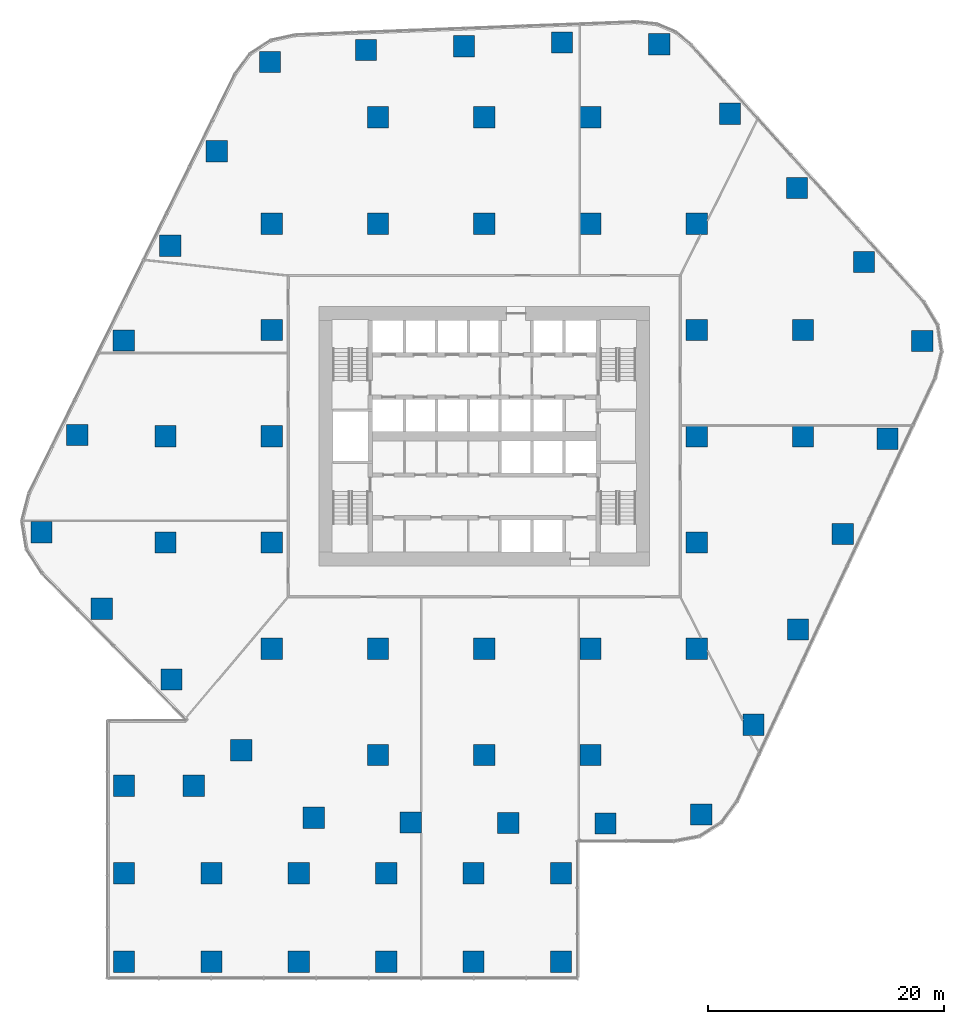
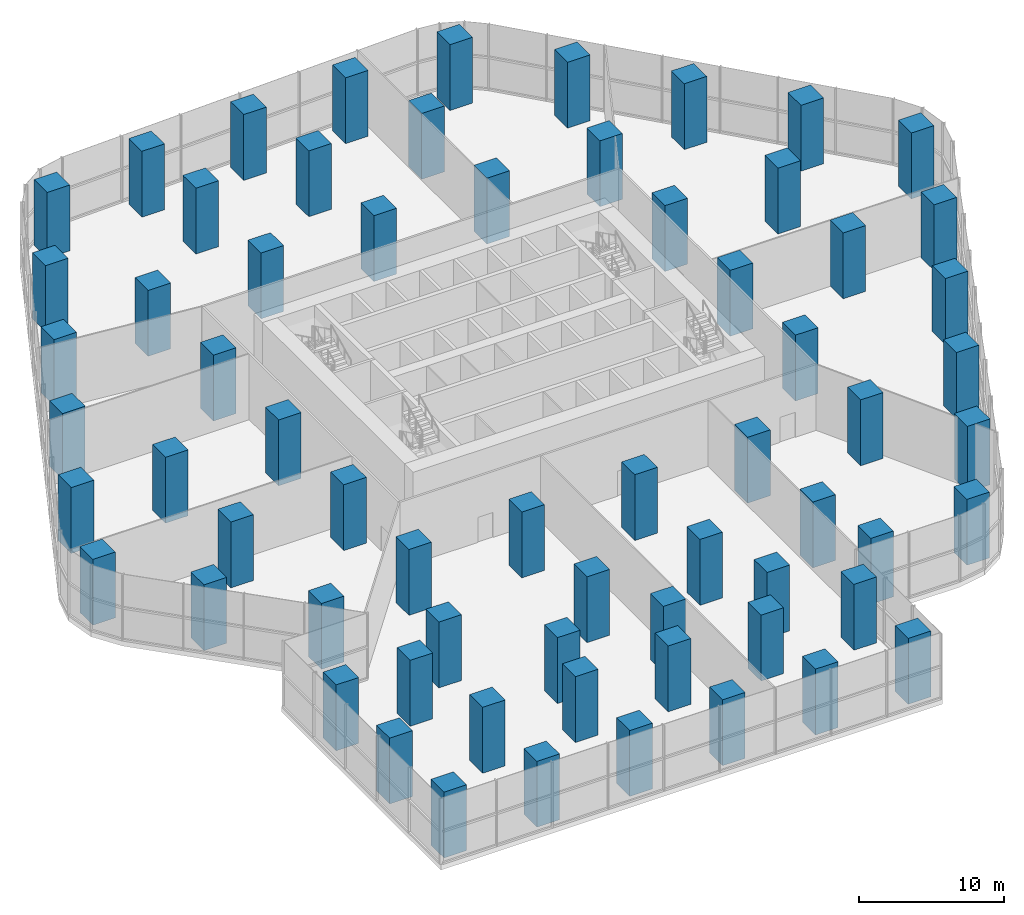
# One storey, part 1 of 15: 66 columns.
"""IFC4 building model written with IfcOpenShell, lengths in metres."""

from ifc_helpers import new_model, si_unit, direction, frame, origin, origin_2d, place, context, subcontext, project, spatial, rectangle, extrude, material, material_profile, profile_set, type_object, element, save


model = new_model("IFC4")

# Units and contexts
model_context = context("Model", 3, precision=1e-05, world=origin(), true_north=direction((0.0, 1.0)))
body_context = subcontext(model_context, "Body", "Model", "MODEL_VIEW")
ifc_project = project(units=[si_unit("LENGTHUNIT", "METRE"), si_unit("AREAUNIT", "SQUARE_METRE"), si_unit("VOLUMEUNIT", "CUBIC_METRE"), si_unit("PLANEANGLEUNIT", "RADIAN"), si_unit("MASSUNIT", "GRAM", prefix="KILO")], contexts=[model_context])

# Site, building, storey
site_placement = place(None, origin())
site = spatial("IfcSite", under=ifc_project, at=site_placement, CompositionType="ELEMENT")
building_placement = place(site_placement, origin())
building = spatial("IfcBuilding", under=site, at=building_placement, Name="Dongbaek Canopy Tower", CompositionType="ELEMENT")
storey_placement = place(building_placement, frame((0.0, 0.0, 27.0)))
storey = spatial("IfcBuildingStorey", under=building, at=storey_placement, Name="L03", CompositionType="ELEMENT", Elevation=27.0)

# Columns
ifc_material = material(Name="Concrete C80", Category="concrete")
ifc_material_profile = material_profile(ifc_material, rectangle(XDim=1.800048828125, YDim=1.800048828125, at=origin_2d()), Name="RC COLUMN 1800x1800 C80")
ifc_profile_set = profile_set([ifc_material_profile], Name="Concrete C80")
column_type = type_object("IfcColumnType", Name="RC COLUMN 1800x1800 C80", PredefinedType="COLUMN", material=ifc_profile_set)
for number, where, z_axis, x_axis, name in (
    (1, (18.367919921875, -32.04296875, 0.0), (0.0, 0.0, 1.0), (1.0, 0.0, 0.0), "COL:CP-01:L03"),
    (2, (10.277099609375, -32.7900390625, 0.0), (0.0, 0.0, 1.0), (1.0, 0.0, 0.0), "COL:CP-02:L03"),
    (3, (2.027099609375, -32.7529296875, 0.0), (0.0, 0.0, 1.0), (1.0, 0.0, 0.0), "COL:CP-03:L03"),
    (4, (-6.221923828125, -32.717041015625, 0.0), (0.0, 0.0, 1.0), (1.0, 0.0, 0.0), "COL:CP-04:L03"),
    (5, (-14.43408203125, -32.31298828125, 0.0), (0.0, 0.0, 1.0), (1.0, 0.0, 0.0), "COL:CP-05:L03"),
    (6, (-20.573974609375, -26.60205078125, 0.0), (0.0, 0.0, 1.0), (1.0, 0.0, 0.0), "COL:CP-06:L03"),
    (7, (-26.47802734375, -20.60791015625, 0.0), (0.0, 0.0, 1.0), (1.0, 0.0, 0.0), "COL:CP-07:L03"),
    (8, (-32.382080078125, -14.613037109375, 0.0), (0.0, 0.0, 1.0), (1.0, 0.0, 0.0), "COL:CP-08:L03"),
    (9, (-37.489013671875, -8.123046875, 0.0), (0.0, 0.0, 1.0), (1.0, 0.0, 0.0), "COL:CP-09:L03"),
    (10, (-34.462890625, 0.10302734375, 0.0), (0.0, 0.0, 1.0), (1.0, 0.0, 0.0), "COL:CP-10:L03"),
    (11, (-30.52490234375, 8.111083984375, 0.0), (0.0, 0.0, 1.0), (1.0, 0.0, 0.0), "COL:CP-11:L03"),
    (12, (-26.5859375, 16.117919921875, 0.0), (0.0, 0.0, 1.0), (1.0, 0.0, 0.0), "COL:CP-12:L03"),
    (13, (-22.64794921875, 24.125, 0.0), (0.0, 0.0, 1.0), (1.0, 0.0, 0.0), "COL:CP-13:L03"),
    (14, (-18.138916015625, 31.698974609375, 0.0), (0.0, 0.0, 1.0), (1.0, 0.0, 0.0), "COL:CP-14:L03"),
    (15, (-10.006103515625, 32.714111328125, 0.0), (0.0, 0.0, 1.0), (1.0, 0.0, 0.0), "COL:CP-15:L03"),
    (16, (-1.7080078125, 33.031982421875, 0.0), (0.0, 0.0, 1.0), (1.0, 0.0, 0.0), "COL:CP-16:L03"),
    (17, (6.589111328125, 33.34912109375, 0.0), (0.0, 0.0, 1.0), (1.0, 0.0, 0.0), "COL:CP-17:L03"),
    (18, (14.830078125, 33.194091796875, 0.0), (0.0, 0.0, 1.0), (1.0, 0.0, 0.0), "COL:CP-18:L03"),
    (19, (20.804931640625, 27.297119140625, 0.0), (0.0, 0.0, 1.0), (1.0, 0.0, 0.0), "COL:CP-19:L03"),
    (20, (26.48193359375, 21.029052734375, 0.0), (0.0, 0.0, 1.0), (1.0, 0.0, 0.0), "COL:CP-20:L03"),
    (21, (32.157958984375, 14.760986328125, 0.0), (0.0, 0.0, 1.0), (1.0, 0.0, 0.0), "COL:CP-21:L03"),
    (22, (37.097900390625, 8.06591796875, 0.0), (0.0, 0.0, 1.0), (1.0, 0.0, 0.0), "COL:CP-22:L03"),
    (23, (34.14306640625, -0.205078125, 0.0), (0.0, 0.0, 1.0), (1.0, 0.0, 0.0), "COL:CP-23:L03"),
    (24, (30.360107421875, -8.283935546875, 0.0), (0.0, 0.0, 1.0), (1.0, 0.0, 0.0), "COL:CP-24:L03"),
    (25, (26.575927734375, -16.364013671875, 0.0), (0.0, 0.0, 1.0), (1.0, 0.0, 0.0), "COL:CP-25:L03"),
    (26, (22.7919921875, -24.443115234375, 0.0), (0.0, 0.0, 1.0), (1.0, 0.0, 0.0), "COL:CP-26:L03"),
    (27, (-27.0, -9.0, 0.0), (0.0, 0.0, 1.0), (1.0, 0.0, 0.0), "COL:CIP-01:L03"),
    (28, (-27.0, 0.0, 0.0), (0.0, 0.0, 1.0), (1.0, 0.0, 0.0), "COL:CIP-02:L03"),
    (29, (-18.0, -18.0, 0.0), (0.0, 0.0, 1.0), (1.0, 0.0, 0.0), "COL:CIP-03:L03"),
    (30, (-18.0, -9.0, 0.0), (0.0, 0.0, 1.0), (1.0, 0.0, 0.0), "COL:CIP-04:L03"),
    (31, (-18.0, 0.0, 0.0), (0.0, 0.0, 1.0), (1.0, 0.0, 0.0), "COL:CIP-05:L03"),
    (32, (-18.0, 9.0, 0.0), (0.0, 0.0, 1.0), (1.0, 0.0, 0.0), "COL:CIP-06:L03"),
    (33, (-18.0, 18.0, 0.0), (0.0, 0.0, 1.0), (1.0, 0.0, 0.0), "COL:CIP-07:L03"),
    (34, (-9.0, -27.0, 0.0), (0.0, 0.0, 1.0), (1.0, 0.0, 0.0), "COL:CIP-08:L03"),
    (35, (-9.0, -18.0, 0.0), (0.0, 0.0, 1.0), (1.0, 0.0, 0.0), "COL:CIP-09:L03"),
    (36, (-9.0, 18.0, 0.0), (0.0, 0.0, 1.0), (1.0, 0.0, 0.0), "COL:CIP-10:L03"),
    (37, (-9.0, 27.0, 0.0), (0.0, 0.0, 1.0), (1.0, 0.0, 0.0), "COL:CIP-11:L03"),
    (38, (0.0, -27.0, 0.0), (0.0, 0.0, 1.0), (1.0, 0.0, 0.0), "COL:CIP-12:L03"),
    (39, (0.0, -18.0, 0.0), (0.0, 0.0, 1.0), (1.0, 0.0, 0.0), "COL:CIP-13:L03"),
    (40, (0.0, 18.0, 0.0), (0.0, 0.0, 1.0), (1.0, 0.0, 0.0), "COL:CIP-14:L03"),
    (41, (0.0, 27.0, 0.0), (0.0, 0.0, 1.0), (1.0, 0.0, 0.0), "COL:CIP-15:L03"),
    (42, (9.0, -27.0, 0.0), (0.0, 0.0, 1.0), (1.0, 0.0, 0.0), "COL:CIP-16:L03"),
    (43, (9.0, -18.0, 0.0), (0.0, 0.0, 1.0), (1.0, 0.0, 0.0), "COL:CIP-17:L03"),
    (44, (9.0, 18.0, 0.0), (0.0, 0.0, 1.0), (1.0, 0.0, 0.0), "COL:CIP-18:L03"),
    (45, (9.0, 27.0, 0.0), (0.0, 0.0, 1.0), (1.0, 0.0, 0.0), "COL:CIP-19:L03"),
    (46, (18.0, -18.0, 0.0), (0.0, 0.0, 1.0), (1.0, 0.0, 0.0), "COL:CIP-20:L03"),
    (47, (18.0, -9.0, 0.0), (0.0, 0.0, 1.0), (1.0, 0.0, 0.0), "COL:CIP-21:L03"),
    (48, (18.0, 0.0, 0.0), (0.0, 0.0, 1.0), (1.0, 0.0, 0.0), "COL:CIP-22:L03"),
    (49, (18.0, 9.0, 0.0), (0.0, 0.0, 1.0), (1.0, 0.0, 0.0), "COL:CIP-23:L03"),
    (50, (18.0, 18.0, 0.0), (0.0, 0.0, 1.0), (1.0, 0.0, 0.0), "COL:CIP-24:L03"),
    (51, (27.0, 0.0, 0.0), (0.0, 0.0, 1.0), (1.0, 0.0, 0.0), "COL:CIP-25:L03"),
    (52, (27.0, 9.0, 0.0), (0.0, 0.0, 1.0), (1.0, 0.0, 0.0), "COL:CIP-26:L03"),
    (53, (-30.5, -44.5, 0.0), (0.0, 0.0, 1.0), (1.0, 0.0, 0.0), "COL:CWSA-01:L03"),
    (54, (-30.5, -37.0, 0.0), (0.0, 0.0, 1.0), (1.0, 0.0, 0.0), "COL:CWSA-02:L03"),
    (55, (-30.5, -29.60009765625, 0.0), (0.0, 0.0, 1.0), (1.0, 0.0, 0.0), "COL:CWSA-03:L03"),
    (56, (-23.10009765625, -44.5, 0.0), (0.0, 0.0, 1.0), (1.0, 0.0, 0.0), "COL:CWSA-04:L03"),
    (57, (-23.10009765625, -37.0, 0.0), (0.0, 0.0, 1.0), (1.0, 0.0, 0.0), "COL:CWSA-05:L03"),
    (58, (-24.60009765625, -29.60009765625, 0.0), (0.0, 0.0, 1.0), (1.0, 0.0, 0.0), "COL:CWSA-06:L03"),
    (59, (-15.699951171875, -44.5, 0.0), (0.0, 0.0, 1.0), (1.0, 0.0, 0.0), "COL:CWSA-07:L03"),
    (60, (-15.699951171875, -37.0, 0.0), (0.0, 0.0, 1.0), (1.0, 0.0, 0.0), "COL:CWSA-08:L03"),
    (61, (-8.300048828125, -44.5, 0.0), (0.0, 0.0, 1.0), (1.0, 0.0, 0.0), "COL:CWSA-09:L03"),
    (62, (-8.300048828125, -37.0, 0.0), (0.0, 0.0, 1.0), (1.0, 0.0, 0.0), "COL:CWSA-10:L03"),
    (63, (-0.89990234375, -44.5, 0.0), (0.0, 0.0, 1.0), (1.0, 0.0, 0.0), "COL:CWSA-11:L03"),
    (64, (-0.89990234375, -37.0, 0.0), (0.0, 0.0, 1.0), (1.0, 0.0, 0.0), "COL:CWSA-12:L03"),
    (65, (6.5, -44.5, 0.0), (0.0, 0.0, 1.0), (1.0, 0.0, 0.0), "COL:CWSA-13:L03"),
    (66, (6.5, -37.0, 0.0), (0.0, 0.0, 1.0), (1.0, 0.0, 0.0), "COL:CWSA-14:L03"),
):
    element("IfcColumn", number, at=place(storey_placement, frame(where, z_axis=z_axis, x_axis=x_axis)), inside=storey, type_object=column_type, Name=name, PredefinedType="COLUMN", context=body_context, shape_type="SweptSolid", body=[
        extrude(rectangle(XDim=1.800048828125, YDim=1.800048828125, at=origin_2d()), origin(), (0.0, 0.0, 1.0), 5.550048828125),
    ])

save(model, "model.ifc")
